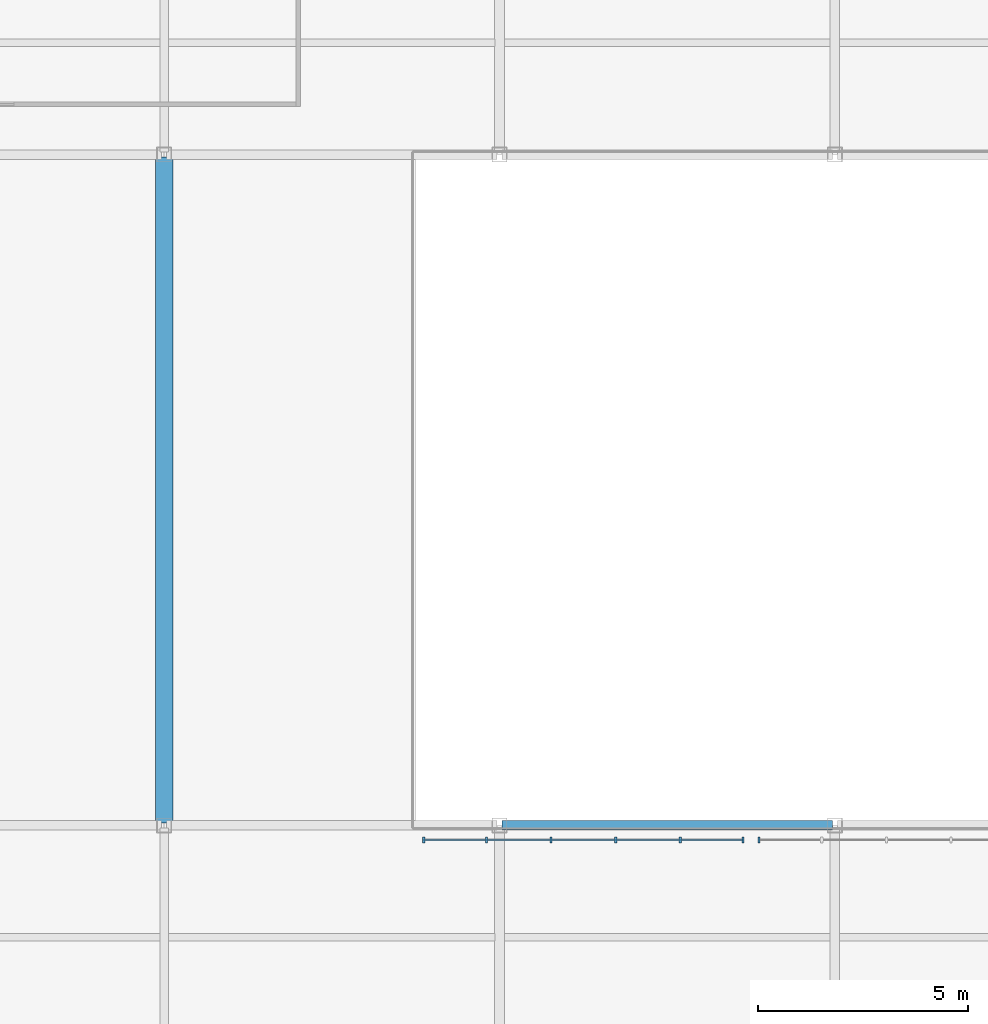
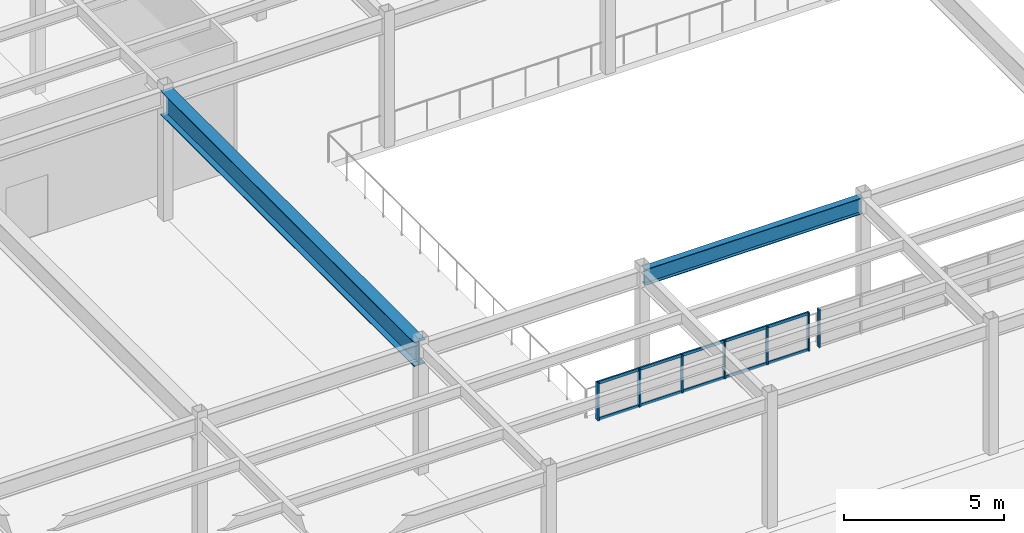
# One storey, part 33 of 77: 9 members, 2 beams, 2 elements without a shape of their own.
"""IFC4 building model written with IfcOpenShell, lengths in metres."""

from ifc_helpers import new_model, si_unit, direction, frame, origin, origin_2d, place, context, subcontext, project, spatial, rectangle, i_section, extrude, material, material_profile, profile_set, type_object, element, aggregate, save


model = new_model("IFC4")

# Units and contexts
model_context = context("Model", 3, precision=1e-05, world=origin(), true_north=direction((0.0, 1.0)))
body_context = subcontext(model_context, "Body", "Model", "MODEL_VIEW")
ifc_project = project(units=[si_unit("LENGTHUNIT", "METRE"), si_unit("AREAUNIT", "SQUARE_METRE"), si_unit("VOLUMEUNIT", "CUBIC_METRE"), si_unit("PLANEANGLEUNIT", "RADIAN"), si_unit("MASSUNIT", "GRAM", prefix="KILO")], contexts=[model_context])

# Site, building, storey
site_placement = place(None, origin())
site = spatial("IfcSite", under=ifc_project, at=site_placement, CompositionType="ELEMENT")
building_placement = place(site_placement, origin())
building = spatial("IfcBuilding", under=site, at=building_placement, Name="Drelvath Fold Interchange", CompositionType="ELEMENT")
storey_placement = place(building_placement, frame((0.0, 0.0, 6.0)))
storey = spatial("IfcBuildingStorey", under=building, at=storey_placement, Name="L01", CompositionType="ELEMENT", Elevation=6.0)

# Beams
ifc_material_1 = material(Name="Steel ASTM A992 Grade 50", Category="steel")
ifc_material_profile_1 = material_profile(ifc_material_1, i_section(OverallWidth=0.22998046875, OverallDepth=0.616943359375, WebThickness=0.01318359375, FlangeThickness=0.022216796875, at=origin_2d()), Name="W24X94")
ifc_profile_set_1 = profile_set([ifc_material_profile_1], Name="Steel ASTM A992 Grade 50")
beam_type_1 = type_object("IfcBeamType", Name="BM-W24X94", PredefinedType="BEAM", material=ifc_profile_set_1)
beam_1_placement = place(storey_placement, frame((60.06005859375, 67.0, 4.64111328125), z_axis=(1.0, 0.0, 0.0), x_axis=(0.0, 1.0, 0.0)))
element("IfcBeam", 1, at=beam_1_placement, inside=storey, type_object=beam_type_1, Name="L01 Primary X girder BM-W24X94", PredefinedType="BEAM", context=body_context, shape_type="SweptSolid", body=[
    extrude(i_section(OverallWidth=0.22998046875, OverallDepth=0.616943359375, WebThickness=0.01318359375, FlangeThickness=0.022216796875, at=origin_2d()), origin(), (0.0, 0.0, 1.0), 7.8798828125),
])
ifc_material_profile_2 = material_profile(ifc_material_1, i_section(OverallWidth=0.41796875, OverallDepth=0.927001953125, WebThickness=0.019287109375, FlangeThickness=0.031982421875, at=origin_2d()), Name="W36X231")
ifc_profile_set_2 = profile_set([ifc_material_profile_2], Name="Steel ASTM A992 Grade 50")
beam_type_2 = type_object("IfcBeamType", Name="BM-W36X231", PredefinedType="USERDEFINED", material=ifc_profile_set_2)
beam_2_placement = place(storey_placement, frame((52.0, 67.06005859375, 4.486083984375), z_axis=(0.0, 1.0, 0.0), x_axis=(-1.0, 0.0, 0.0)))
element("IfcBeam", 2, at=beam_2_placement, inside=storey, type_object=beam_type_2, Name="L01 Primary Y girder BM-W36X231", ObjectType="GIRDER", PredefinedType="USERDEFINED", context=body_context, shape_type="SweptSolid", body=[
    extrude(i_section(OverallWidth=0.41796875, OverallDepth=0.927001953125, WebThickness=0.019287109375, FlangeThickness=0.031982421875, at=origin_2d()), origin(), (0.0, 0.0, 1.0), 15.8798828125),
])

# Curtain wall, members
ifc_material_2 = material(Name="Anodized Aluminium 6063-T6", Category="aluminium")
curtain_wall_type = type_object("IfcCurtainWallType", Name="CW-ATR-SCR", PredefinedType="USERDEFINED", material=ifc_material_2)
curtain_wall_1_placement = place(storey_placement, origin())
curtain_wall_1 = element("IfcCurtainWall", 3, at=curtain_wall_1_placement, inside=storey, type_object=curtain_wall_type, Name="Curtain wall CW-ATR-L01-S58", ObjectType="GLAZED SCREEN WALL", PredefinedType="USERDEFINED")
ifc_material_profile_3 = material_profile(ifc_material_2, rectangle(XDim=0.054931640625, YDim=0.135009765625, at=origin_2d()), Name="AL-M 55x135")
ifc_profile_set_3 = profile_set([ifc_material_profile_3], Name="Anodized Aluminium 6063-T6")
member_type_1 = type_object("IfcMemberType", Name="ML-135", PredefinedType="MULLION", material=ifc_profile_set_3)
member_1_placement = place(storey_placement, frame((58.18994140625, 66.64990234375, 0.0), z_axis=(0.0, 0.0, 1.0), x_axis=(1.0, 0.0, 0.0)))
member_1 = element("IfcMember", 4, at=member_1_placement, type_object=member_type_1, Name="CW-ATR-L01-S58 mullion 0", PredefinedType="MULLION", context=body_context, shape_type="SweptSolid", body=[
    extrude(rectangle(XDim=0.054931640625, YDim=0.135009765625, at=origin_2d()), origin(), (0.0, 0.0, 1.0), 1.449951171875),
])
member_2_placement = place(storey_placement, frame((59.68994140625, 66.64990234375, 0.0), z_axis=(0.0, 0.0, 1.0), x_axis=(1.0, 0.0, 0.0)))
member_2 = element("IfcMember", 5, at=member_2_placement, type_object=member_type_1, Name="CW-ATR-L01-S58 mullion 1", PredefinedType="MULLION", context=body_context, shape_type="SweptSolid", body=[
    extrude(rectangle(XDim=0.054931640625, YDim=0.135009765625, at=origin_2d()), origin(), (0.0, 0.0, 1.0), 1.449951171875),
])
member_3_placement = place(storey_placement, frame((61.22998046875, 66.64990234375, 0.0), z_axis=(0.0, 0.0, 1.0), x_axis=(1.0, 0.0, 0.0)))
member_3 = element("IfcMember", 6, at=member_3_placement, type_object=member_type_1, Name="CW-ATR-L01-S58 mullion 2", PredefinedType="MULLION", context=body_context, shape_type="SweptSolid", body=[
    extrude(rectangle(XDim=0.054931640625, YDim=0.135009765625, at=origin_2d()), origin(), (0.0, 0.0, 1.0), 1.449951171875),
])
member_4_placement = place(storey_placement, frame((62.77001953125, 66.64990234375, 0.0), z_axis=(0.0, 0.0, 1.0), x_axis=(1.0, 0.0, 0.0)))
member_4 = element("IfcMember", 7, at=member_4_placement, type_object=member_type_1, Name="CW-ATR-L01-S58 mullion 3", PredefinedType="MULLION", context=body_context, shape_type="SweptSolid", body=[
    extrude(rectangle(XDim=0.054931640625, YDim=0.135009765625, at=origin_2d()), origin(), (0.0, 0.0, 1.0), 1.449951171875),
])
member_5_placement = place(storey_placement, frame((64.31005859375, 66.64990234375, 0.0), z_axis=(0.0, 0.0, 1.0), x_axis=(1.0, 0.0, 0.0)))
member_5 = element("IfcMember", 8, at=member_5_placement, type_object=member_type_1, Name="CW-ATR-L01-S58 mullion 4", PredefinedType="MULLION", context=body_context, shape_type="SweptSolid", body=[
    extrude(rectangle(XDim=0.054931640625, YDim=0.135009765625, at=origin_2d()), origin(), (0.0, 0.0, 1.0), 1.449951171875),
])
member_6_placement = place(storey_placement, frame((65.81005859375, 66.64990234375, 0.0), z_axis=(0.0, 0.0, 1.0), x_axis=(1.0, 0.0, 0.0)))
member_6 = element("IfcMember", 9, at=member_6_placement, type_object=member_type_1, Name="CW-ATR-L01-S58 mullion 5", PredefinedType="MULLION", context=body_context, shape_type="SweptSolid", body=[
    extrude(rectangle(XDim=0.054931640625, YDim=0.135009765625, at=origin_2d()), origin(), (0.0, 0.0, 1.0), 1.449951171875),
])

# Curtain wall, member
curtain_wall_2_placement = place(storey_placement, origin())
curtain_wall_2 = element("IfcCurtainWall", 10, at=curtain_wall_2_placement, inside=storey, type_object=curtain_wall_type, Name="Curtain wall CW-ATR-L01-S66", ObjectType="GLAZED SCREEN WALL", PredefinedType="USERDEFINED")
member_7_placement = place(storey_placement, frame((66.18994140625, 66.64990234375, 0.0), z_axis=(0.0, 0.0, 1.0), x_axis=(1.0, 0.0, 0.0)))
member_7 = element("IfcMember", 11, at=member_7_placement, type_object=member_type_1, Name="CW-ATR-L01-S66 mullion 0", PredefinedType="MULLION", context=body_context, shape_type="SweptSolid", body=[
    extrude(rectangle(XDim=0.054931640625, YDim=0.135009765625, at=origin_2d()), origin(), (0.0, 0.0, 1.0), 1.449951171875),
])
aggregate(curtain_wall_2, [member_7])

# Member
ifc_material_profile_4 = material_profile(ifc_material_2, rectangle(XDim=0.054931640625, YDim=0.110107421875, at=origin_2d()), Name="AL-T 55x110")
ifc_profile_set_4 = profile_set([ifc_material_profile_4], Name="Anodized Aluminium 6063-T6")
member_type_2 = type_object("IfcMemberType", Name="TR-110", PredefinedType="USERDEFINED", material=ifc_profile_set_4)
member_8_placement = place(storey_placement, frame((58.18994140625, 66.64990234375, 0.030029296875), z_axis=(1.0, 0.0, 0.0), x_axis=(0.0, 1.0, 0.0)))
member_8 = element("IfcMember", 12, at=member_8_placement, type_object=member_type_2, Name="CW-ATR-L01-S58 transom 0", ObjectType="TRANSOM", PredefinedType="USERDEFINED", context=body_context, shape_type="SweptSolid", body=[
    extrude(rectangle(XDim=0.054931640625, YDim=0.110107421875, at=origin_2d()), origin(), (0.0, 0.0, 1.0), 7.6201171875),
])

member_9_placement = place(storey_placement, frame((58.18994140625, 66.64990234375, 1.419921875), z_axis=(1.0, 0.0, 0.0), x_axis=(0.0, 1.0, 0.0)))
member_9 = element("IfcMember", 13, at=member_9_placement, type_object=member_type_2, Name="CW-ATR-L01-S58 transom 1", ObjectType="TRANSOM", PredefinedType="USERDEFINED", context=body_context, shape_type="SweptSolid", body=[
    extrude(rectangle(XDim=0.054931640625, YDim=0.110107421875, at=origin_2d()), origin(), (0.0, 0.0, 1.0), 7.6201171875),
])

aggregate(curtain_wall_1, [member_1, member_2, member_3, member_4, member_5, member_6, member_8, member_9])

save(model, "model.ifc")
